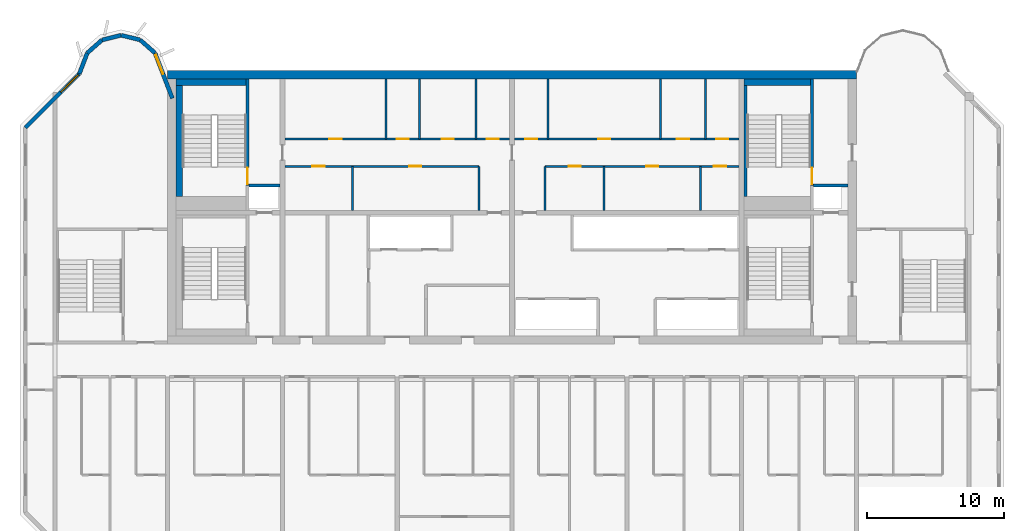
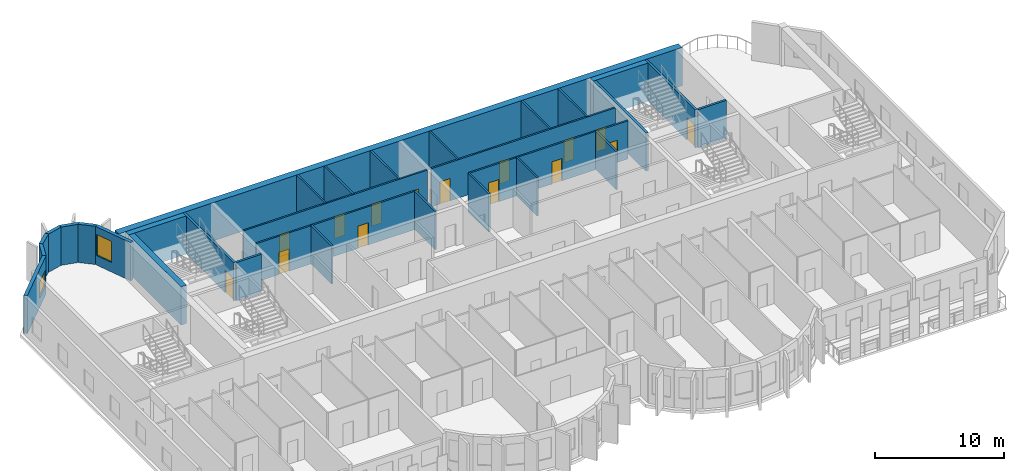
# One storey, part 7 of 12: 31 walls, 15 doors, 2 windows, 17 openings.
"""IFC4 building model written with IfcOpenShell, lengths in metres."""

from ifc_helpers import new_model, si_unit, direction, frame, frame_2d, origin, place, context, subcontext, project, spatial, rectangle, extrude, source, transform, mapped, material, layer, layer_set, type_object, element, fill, save


model = new_model("IFC4")

# Units and contexts
model_context = context("Model", 3, precision=1e-05, world=origin(), true_north=direction((0.0, 1.0)))
body_context = subcontext(model_context, "Body", "Model", "MODEL_VIEW")
ifc_project = project(units=[si_unit("LENGTHUNIT", "METRE"), si_unit("AREAUNIT", "SQUARE_METRE"), si_unit("VOLUMEUNIT", "CUBIC_METRE"), si_unit("PLANEANGLEUNIT", "RADIAN"), si_unit("MASSUNIT", "GRAM", prefix="KILO")], contexts=[model_context])

# Site, building, storey
site_placement = place(None, origin())
site = spatial("IfcSite", under=ifc_project, at=site_placement, CompositionType="ELEMENT")
building_placement = place(site_placement, origin())
building = spatial("IfcBuilding", under=site, at=building_placement, Name="Vanashikhar Sky Hotel", CompositionType="ELEMENT")
storey_placement = place(building_placement, frame((0.0, 0.0, 221.800048828125)))
storey = spatial("IfcBuildingStorey", under=building, at=storey_placement, Name="L53", CompositionType="ELEMENT", Elevation=221.800048828125)

# Wall
ifc_material_1 = material(Name="Concrete M60", Category="concrete")
ifc_layer_1 = layer(ifc_material_1, 0.60009765625)
ifc_layer_set_1 = layer_set([ifc_layer_1], Name="RC core shell wall 600 Concrete M60")
wall_type_1 = type_object("IfcWallType", Name="RC core shell wall 600 Concrete M60", PredefinedType="SHEAR", material=ifc_layer_set_1)
shared_shape_1 = source(origin(), body_context, "Body", "SweptSolid", [
    extrude(rectangle(XDim=50.400146484375, YDim=0.60009765625, at=frame_2d((25.2001953125, 0.0))), origin(), (0.0, 0.0, 1.0), 3.619873046875),
])
wall_1_placement = place(storey_placement, frame((25.199951171875, 41.699951171875, 0.0), z_axis=(0.0, 0.0, 1.0), x_axis=(1.0, 0.0, 0.0)))
element("IfcWall", 1, at=wall_1_placement, inside=storey, type_object=wall_type_1, Name="KW-L53-KN", PredefinedType="SHEAR", context=body_context, shape_type="MappedRepresentation", body=[
    mapped(shared_shape_1, transform((0.0, 0.0, 0.0), scale=1.0)),
])

# Wall, opening, window
ifc_material_2 = material(Name="Concrete M50", Category="concrete")
ifc_layer_2 = layer(ifc_material_2, 0.300048828125)
ifc_layer_set_2 = layer_set([ifc_layer_2], Name="Lobe wall 300")
wall_type_2 = type_object("IfcWallType", Name="Lobe wall 300", PredefinedType="SOLIDWALL", material=ifc_layer_set_2)
shared_shape_2 = source(origin(), body_context, "Body", "SweptSolid", [
    extrude(rectangle(XDim=5.576416015625, YDim=0.300048828125, at=frame_2d((2.7880859375, 0.0))), origin(), (0.0, 0.0, 1.0), 3.619873046875),
])
wall_2_placement = place(storey_placement, frame((18.7431640625, 41.77734375, 0.0), z_axis=(0.0, 0.0, 1.0), x_axis=(-0.707106781187, -0.707106781187, 0.0)))
wall_2 = element("IfcWall", 2, at=wall_2_placement, inside=storey, type_object=wall_type_2, Name="Corner wall", PredefinedType="SOLIDWALL", context=body_context, shape_type="MappedRepresentation", body=[
    mapped(shared_shape_2, transform((0.0, 0.0, 0.0), scale=1.0)),
])
shared_shape_3 = source(origin(), body_context, "Body", "SweptSolid", [
    extrude(rectangle(XDim=1.800048828125, YDim=1.5, at=frame_2d((0.89990234375, 0.75))), frame((0.0, 0.16015625, 0.0), z_axis=(0.0, -1.0, 0.0), x_axis=(1.0, 0.0, 0.0)), (0.0, 0.0, 1.0), 0.320068359375),
])
opening_1_placement = place(wall_2_placement, frame((0.117919921875, 0.0, 0.89990234375)))
opening_1 = element("IfcOpeningElement", 3, at=opening_1_placement, cuts=wall_2, Name="Opening WN-4", PredefinedType="OPENING", context=body_context, shape_type="MappedRepresentation", body=[
    mapped(shared_shape_3, transform((0.0, 0.0, 0.0), scale=1.0)),
])
ifc_material_3 = material(Name="Glass", Category="glass")
window_type_1 = type_object("IfcWindowType", Name="Corner window 1800 x 1500", PartitioningType="SINGLE_PANEL", PredefinedType="WINDOW", material=ifc_material_3)
shared_shape_4 = source(origin(), body_context, "Body", "SweptSolid", [
    extrude(rectangle(XDim=1.800048828125, YDim=1.5, at=frame_2d((0.89990234375, 0.75))), frame((0.0, 0.030029296875, 0.0), z_axis=(0.0, -1.0, 0.0), x_axis=(1.0, 0.0, 0.0)), (0.0, 0.0, 1.0), 0.06005859375),
])
window_1_placement = place(opening_1_placement, origin())
window_1 = element("IfcWindow", 4, at=window_1_placement, inside=storey, type_object=window_type_1, Name="Window WN-4", OverallHeight=1.5, OverallWidth=1.800048828125, PartitioningType="SINGLE_PANEL", PredefinedType="WINDOW", context=body_context, shape_type="MappedRepresentation", body=[
    mapped(shared_shape_4, transform((0.0, 0.0, 0.0), scale=1.0)),
])
fill(opening_1, window_1)

shared_shape_5 = source(origin(), body_context, "Body", "SweptSolid", [
    extrude(rectangle(XDim=3.55908203125, YDim=0.300048828125, at=frame_2d((1.779541015625, 0.0))), origin(), (0.0, 0.0, 1.0), 3.619873046875),
])
wall_3_placement = place(storey_placement, frame((25.550048828125, 39.968505859375, 0.0), z_axis=(0.0, 0.0, 1.0), x_axis=(-0.35779745313, 0.933799219604, 0.0)))
wall_3 = element("IfcWall", 5, at=wall_3_placement, inside=storey, type_object=wall_type_2, Name="Lobe wall", PredefinedType="SOLIDWALL", context=body_context, shape_type="MappedRepresentation", body=[
    mapped(shared_shape_5, transform((0.0, 0.0, 0.0), scale=1.0)),
])
shared_shape_6 = source(origin(), body_context, "Body", "SweptSolid", [
    extrude(rectangle(XDim=1.5, YDim=2.0, at=frame_2d((0.75, 1.0))), frame((0.0, 0.16015625, 0.0), z_axis=(0.0, -1.0, 0.0), x_axis=(1.0, 0.0, 0.0)), (0.0, 0.0, 1.0), 0.320068359375),
])
opening_2_placement = place(wall_3_placement, frame((1.9033203125, 0.0, 0.89990234375)))
opening_2 = element("IfcOpeningElement", 6, at=opening_2_placement, cuts=wall_3, Name="Opening WN-2", PredefinedType="OPENING", context=body_context, shape_type="MappedRepresentation", body=[
    mapped(shared_shape_6, transform((0.0, 0.0, 0.0), scale=1.0)),
])
window_type_2 = type_object("IfcWindowType", Name="Lobe window 1500 x 2000", PartitioningType="SINGLE_PANEL", PredefinedType="WINDOW", material=ifc_material_3)
shared_shape_7 = source(origin(), body_context, "Body", "SweptSolid", [
    extrude(rectangle(XDim=1.5, YDim=2.0, at=frame_2d((0.75, 1.0))), frame((0.0, 0.030029296875, 0.0), z_axis=(0.0, -1.0, 0.0), x_axis=(1.0, 0.0, 0.0)), (0.0, 0.0, 1.0), 0.06005859375),
])
window_2_placement = place(opening_2_placement, origin())
window_2 = element("IfcWindow", 7, at=window_2_placement, inside=storey, type_object=window_type_2, Name="Window WN-2", OverallHeight=2.0, OverallWidth=1.5, PartitioningType="SINGLE_PANEL", PredefinedType="WINDOW", context=body_context, shape_type="MappedRepresentation", body=[
    mapped(shared_shape_7, transform((0.0, 0.0, 0.0), scale=1.0)),
])
fill(opening_2, window_2)

# Walls
shared_shape_8 = source(origin(), body_context, "Body", "SweptSolid", [
    extrude(rectangle(XDim=1.440185546875, YDim=0.300048828125, at=frame_2d((0.72021484375, 0.0))), origin(), (0.0, 0.0, 1.0), 3.619873046875),
])
wall_4_placement = place(storey_placement, frame((24.276611328125, 43.2919921875, 0.0), z_axis=(0.0, 0.0, 1.0), x_axis=(-0.749649827867, 0.661834673902, 0.0)))
element("IfcWall", 8, at=wall_4_placement, inside=storey, type_object=wall_type_2, Name="Lobe wall", PredefinedType="SOLIDWALL", context=body_context, shape_type="MappedRepresentation", body=[
    mapped(shared_shape_8, transform((0.0, 0.0, 0.0), scale=1.0)),
])
shared_shape_9 = source(origin(), body_context, "Body", "SweptSolid", [
    extrude(rectangle(XDim=1.4384765625, YDim=0.300048828125, at=frame_2d((0.71923828125, 0.0))), origin(), (0.0, 0.0, 1.0), 3.619873046875),
])
wall_5_placement = place(storey_placement, frame((23.197021484375, 44.2451171875, 0.0), z_axis=(0.0, 0.0, 1.0), x_axis=(-0.971152283879, 0.238460146601, 0.0)))
element("IfcWall", 9, at=wall_5_placement, inside=storey, type_object=wall_type_2, Name="Lobe wall", PredefinedType="SOLIDWALL", context=body_context, shape_type="MappedRepresentation", body=[
    mapped(shared_shape_9, transform((0.0, 0.0, 0.0), scale=1.0)),
])
shared_shape_10 = source(origin(), body_context, "Body", "SweptSolid", [
    extrude(rectangle(XDim=1.438720703125, YDim=0.300048828125, at=frame_2d((0.71923828125, 0.0))), origin(), (0.0, 0.0, 1.0), 3.619873046875),
])
wall_6_placement = place(storey_placement, frame((21.800048828125, 44.588134765625, 0.0), z_axis=(0.0, 0.0, 1.0), x_axis=(-0.971161932466, -0.238420848351, 0.0)))
element("IfcWall", 10, at=wall_6_placement, inside=storey, type_object=wall_type_2, Name="Lobe wall", PredefinedType="SOLIDWALL", context=body_context, shape_type="MappedRepresentation", body=[
    mapped(shared_shape_10, transform((0.0, 0.0, 0.0), scale=1.0)),
])
shared_shape_11 = source(origin(), body_context, "Body", "SweptSolid", [
    extrude(rectangle(XDim=1.43994140625, YDim=0.300048828125, at=frame_2d((0.719970703125, 0.0))), origin(), (0.0, 0.0, 1.0), 3.619873046875),
])
wall_7_placement = place(storey_placement, frame((20.40283203125, 44.2451171875, 0.0), z_axis=(0.0, 0.0, 1.0), x_axis=(-0.74957555648, -0.661918790432, 0.0)))
element("IfcWall", 11, at=wall_7_placement, inside=storey, type_object=wall_type_2, Name="Lobe wall", PredefinedType="SOLIDWALL", context=body_context, shape_type="MappedRepresentation", body=[
    mapped(shared_shape_11, transform((0.0, 0.0, 0.0), scale=1.0)),
])
shared_shape_12 = source(origin(), body_context, "Body", "SweptSolid", [
    extrude(rectangle(XDim=1.6220703125, YDim=0.300048828125, at=frame_2d((0.81103515625, 0.0))), origin(), (0.0, 0.0, 1.0), 3.619873046875),
])
wall_8_placement = place(storey_placement, frame((19.323486328125, 43.2919921875, 0.0), z_axis=(0.0, 0.0, 1.0), x_axis=(-0.357778527068, -0.933806471154, 0.0)))
element("IfcWall", 12, at=wall_8_placement, inside=storey, type_object=wall_type_2, Name="Lobe wall", PredefinedType="SOLIDWALL", context=body_context, shape_type="MappedRepresentation", body=[
    mapped(shared_shape_12, transform((0.0, 0.0, 0.0), scale=1.0)),
])
ifc_material_4 = material(Name="Gypsum board partition")
ifc_layer_3 = layer(ifc_material_4, 0.14990234375)
ifc_layer_set_3 = layer_set([ifc_layer_3], Name="Service partition 150")
wall_type_3 = type_object("IfcWallType", Name="Service partition 150", PredefinedType="PARTITIONING", material=ifc_layer_set_3)
shared_shape_13 = source(origin(), body_context, "Body", "SweptSolid", [
    extrude(rectangle(XDim=3.22509765625, YDim=0.14990234375, at=frame_2d((1.612548828125, 0.0))), origin(), (0.0, 0.0, 1.0), 3.619873046875),
])
for number, where, z_axis, x_axis, name in (
    (13, (48.0, 31.77490234375, 0.0), (0.0, 0.0, 1.0), (0.0, 1.0, 0.0), "Service partition 150"),
    (14, (38.72705078125, 31.77490234375, 0.0), (0.0, 0.0, 1.0), (0.0, 1.0, 0.0), "Service partition 150"),
    (15, (52.800048828125, 31.77490234375, 0.0), (0.0, 0.0, 1.0), (0.0, 1.0, 0.0), "Service partition 150"),
    (16, (64.195068359375, 31.77490234375, 0.0), (0.0, 0.0, 1.0), (0.0, 1.0, 0.0), "Service partition 150"),
    (17, (57.1201171875, 31.77490234375, 0.0), (0.0, 0.0, 1.0), (0.0, 1.0, 0.0), "Service partition 150"),
):
    element("IfcWall", number, at=place(storey_placement, frame(where, z_axis=z_axis, x_axis=x_axis)), inside=storey, type_object=wall_type_3, Name=name, PredefinedType="PARTITIONING", context=body_context, shape_type="MappedRepresentation", body=[
        mapped(shared_shape_13, transform((0.0, 0.0, 0.0), scale=1.0)),
    ])

# Wall, openings, doors
shared_shape_14 = source(origin(), body_context, "Body", "SweptSolid", [
    extrude(rectangle(XDim=14.22509765625, YDim=0.14990234375, at=frame_2d((7.112548828125, 0.0))), origin(), (0.0, 0.0, 1.0), 3.619873046875),
])
wall_9_placement = place(storey_placement, frame((33.77490234375, 35.0, 0.0), z_axis=(0.0, 0.0, 1.0), x_axis=(1.0, 0.0, 0.0)))
wall_9 = element("IfcWall", 18, at=wall_9_placement, inside=storey, type_object=wall_type_3, Name="Service partition 150", PredefinedType="PARTITIONING", context=body_context, shape_type="MappedRepresentation", body=[
    mapped(shared_shape_14, transform((0.0, 0.0, 0.0), scale=1.0)),
])
shared_shape_15 = source(origin(), body_context, "Body", "SweptSolid", [
    extrude(rectangle(XDim=0.89990234375, YDim=2.10009765625, at=frame_2d((0.449951171875, 1.050048828125))), frame((0.0, 0.0849609375, 0.0), z_axis=(0.0, -1.0, 0.0), x_axis=(1.0, 0.0, 0.0)), (0.0, 0.0, 1.0), 0.169921875),
])
opening_3_placement = place(wall_9_placement, frame((2.02587890625, 0.0, 0.0)))
opening_3 = element("IfcOpeningElement", 19, at=opening_3_placement, cuts=wall_9, Name="Opening DC-4-A", PredefinedType="OPENING", context=body_context, shape_type="MappedRepresentation", body=[
    mapped(shared_shape_15, transform((0.0, 0.0, 0.0), scale=1.0)),
])
opening_4_placement = place(wall_9_placement, frame((9.10107421875, 0.0, 0.0)))
opening_4 = element("IfcOpeningElement", 20, at=opening_4_placement, cuts=wall_9, Name="Opening DC-4-A", PredefinedType="OPENING", context=body_context, shape_type="MappedRepresentation", body=[
    mapped(shared_shape_15, transform((0.0, 0.0, 0.0), scale=1.0)),
])
ifc_material_5 = material(Name="Steel", Category="steel")
door_type_1 = type_object("IfcDoorType", Name="Service door 900 FD60", OperationType="NOTDEFINED", PredefinedType="DOOR", material=ifc_material_5)
shared_shape_16 = source(origin(), body_context, "Body", "SweptSolid", [
    extrude(rectangle(XDim=0.89990234375, YDim=2.10009765625, at=frame_2d((0.449951171875, 1.050048828125))), frame((0.0, 0.02490234375, 0.0), z_axis=(0.0, -1.0, 0.0), x_axis=(1.0, 0.0, 0.0)), (0.0, 0.0, 1.0), 0.050048828125),
])
door_1_placement = place(opening_3_placement, origin())
door_1 = element("IfcDoor", 21, at=door_1_placement, inside=storey, type_object=door_type_1, Name="Service door 900 FD60", OperationType="SINGLE_SWING_LEFT", OverallHeight=2.10009765625, OverallWidth=0.89990234375, PredefinedType="DOOR", context=body_context, shape_type="MappedRepresentation", body=[
    mapped(shared_shape_16, transform((0.0, 0.0, 0.0), scale=1.0)),
])
fill(opening_3, door_1)
door_2_placement = place(opening_4_placement, origin())
door_2 = element("IfcDoor", 22, at=door_2_placement, inside=storey, type_object=door_type_1, Name="Service door 900 FD60", OperationType="SINGLE_SWING_RIGHT", OverallHeight=2.10009765625, OverallWidth=0.89990234375, PredefinedType="DOOR", context=body_context, shape_type="MappedRepresentation", body=[
    mapped(shared_shape_16, transform((0.0, 0.0, 0.0), scale=1.0)),
])
fill(opening_4, door_2)

shared_shape_17 = source(origin(), body_context, "Body", "SweptSolid", [
    extrude(rectangle(XDim=16.4501953125, YDim=0.14990234375, at=frame_2d((8.22509765625, 0.0))), origin(), (0.0, 0.0, 1.0), 3.619873046875),
])
wall_10_placement = place(storey_placement, frame((33.77490234375, 37.0, 0.0), z_axis=(0.0, 0.0, 1.0), x_axis=(1.0, 0.0, 0.0)))
wall_10 = element("IfcWall", 23, at=wall_10_placement, inside=storey, type_object=wall_type_3, Name="Service partition 150", PredefinedType="PARTITIONING", context=body_context, shape_type="MappedRepresentation", body=[
    mapped(shared_shape_17, transform((0.0, 0.0, 0.0), scale=1.0)),
])
opening_5_placement = place(wall_10_placement, frame((3.2509765625, 0.0, 0.0)))
opening_5 = element("IfcOpeningElement", 24, at=opening_5_placement, cuts=wall_10, Name="Opening DC-4-A", PredefinedType="OPENING", context=body_context, shape_type="MappedRepresentation", body=[
    mapped(shared_shape_15, transform((0.0, 0.0, 0.0), scale=1.0)),
])
opening_6_placement = place(wall_10_placement, frame((8.18603515625, 0.0, 0.0)))
opening_6 = element("IfcOpeningElement", 25, at=opening_6_placement, cuts=wall_10, Name="Opening DC-4-A", PredefinedType="OPENING", context=body_context, shape_type="MappedRepresentation", body=[
    mapped(shared_shape_15, transform((0.0, 0.0, 0.0), scale=1.0)),
])
opening_7_placement = place(wall_10_placement, frame((11.47607421875, 0.0, 0.0)))
opening_7 = element("IfcOpeningElement", 26, at=opening_7_placement, cuts=wall_10, Name="Opening DC-4-A", PredefinedType="OPENING", context=body_context, shape_type="MappedRepresentation", body=[
    mapped(shared_shape_15, transform((0.0, 0.0, 0.0), scale=1.0)),
])
opening_8_placement = place(wall_10_placement, frame((14.76611328125, 0.0, 0.0)))
opening_8 = element("IfcOpeningElement", 27, at=opening_8_placement, cuts=wall_10, Name="Opening DC-4-A", PredefinedType="OPENING", context=body_context, shape_type="MappedRepresentation", body=[
    mapped(shared_shape_15, transform((0.0, 0.0, 0.0), scale=1.0)),
])
door_3_placement = place(opening_5_placement, origin())
door_3 = element("IfcDoor", 28, at=door_3_placement, inside=storey, type_object=door_type_1, Name="Service door 900 FD60", OperationType="SINGLE_SWING_LEFT", OverallHeight=2.10009765625, OverallWidth=0.89990234375, PredefinedType="DOOR", context=body_context, shape_type="MappedRepresentation", body=[
    mapped(shared_shape_16, transform((0.0, 0.0, 0.0), scale=1.0)),
])
fill(opening_5, door_3)
door_4_placement = place(opening_6_placement, origin())
door_4 = element("IfcDoor", 29, at=door_4_placement, inside=storey, type_object=door_type_1, Name="Service door 900 FD60", OperationType="SINGLE_SWING_LEFT", OverallHeight=2.10009765625, OverallWidth=0.89990234375, PredefinedType="DOOR", context=body_context, shape_type="MappedRepresentation", body=[
    mapped(shared_shape_16, transform((0.0, 0.0, 0.0), scale=1.0)),
])
fill(opening_6, door_4)
door_5_placement = place(opening_7_placement, origin())
door_5 = element("IfcDoor", 30, at=door_5_placement, inside=storey, type_object=door_type_1, Name="Service door 900 FD60", OperationType="SINGLE_SWING_LEFT", OverallHeight=2.10009765625, OverallWidth=0.89990234375, PredefinedType="DOOR", context=body_context, shape_type="MappedRepresentation", body=[
    mapped(shared_shape_16, transform((0.0, 0.0, 0.0), scale=1.0)),
])
fill(opening_7, door_5)
door_6_placement = place(opening_8_placement, origin())
door_6 = element("IfcDoor", 31, at=door_6_placement, inside=storey, type_object=door_type_1, Name="Service door 900 FD60", OperationType="SINGLE_SWING_LEFT", OverallHeight=2.10009765625, OverallWidth=0.89990234375, PredefinedType="DOOR", context=body_context, shape_type="MappedRepresentation", body=[
    mapped(shared_shape_16, transform((0.0, 0.0, 0.0), scale=1.0)),
])
fill(opening_8, door_6)

# Walls
shared_shape_18 = source(origin(), body_context, "Body", "SweptSolid", [
    extrude(rectangle(XDim=4.39990234375, YDim=0.14990234375, at=frame_2d((2.199951171875, 0.0))), origin(), (0.0, 0.0, 1.0), 3.619873046875),
])
for number, where, z_axis, x_axis, name in (
    (32, (41.177978515625, 37.0, 0.0), (0.0, 0.0, 1.0), (0.0, 1.0, 0.0), "Service partition 150"),
    (33, (43.64501953125, 37.0, 0.0), (0.0, 0.0, 1.0), (0.0, 1.0, 0.0), "Service partition 150"),
    (34, (47.758056640625, 37.0, 0.0), (0.0, 0.0, 1.0), (0.0, 1.0, 0.0), "Service partition 150"),
    (35, (64.55810546875, 37.0, 0.0), (0.0, 0.0, 1.0), (0.0, 1.0, 0.0), "Service partition 150"),
    (36, (61.26708984375, 37.0, 0.0), (0.0, 0.0, 1.0), (0.0, 1.0, 0.0), "Service partition 150"),
    (37, (53.0419921875, 37.0, 0.0), (0.0, 0.0, 1.0), (0.0, 1.0, 0.0), "Service partition 150"),
):
    element("IfcWall", number, at=place(storey_placement, frame(where, z_axis=z_axis, x_axis=x_axis)), inside=storey, type_object=wall_type_3, Name=name, PredefinedType="PARTITIONING", context=body_context, shape_type="MappedRepresentation", body=[
        mapped(shared_shape_18, transform((0.0, 0.0, 0.0), scale=1.0)),
    ])

# Wall, openings, doors
shared_shape_19 = source(origin(), body_context, "Body", "SweptSolid", [
    extrude(rectangle(XDim=14.224853515625, YDim=0.14990234375, at=frame_2d((7.1123046875, 0.0))), origin(), (0.0, 0.0, 1.0), 3.619873046875),
])
wall_11_placement = place(storey_placement, frame((67.02490234375, 35.0, 0.0), z_axis=(0.0, 0.0, 1.0), x_axis=(-1.0, 0.0, 0.0)))
wall_11 = element("IfcWall", 38, at=wall_11_placement, inside=storey, type_object=wall_type_3, Name="Service partition 150", PredefinedType="PARTITIONING", context=body_context, shape_type="MappedRepresentation", body=[
    mapped(shared_shape_19, transform((0.0, 0.0, 0.0), scale=1.0)),
])
opening_9_placement = place(wall_11_placement, frame((0.965087890625, 0.0, 0.0)))
opening_9 = element("IfcOpeningElement", 39, at=opening_9_placement, cuts=wall_11, Name="Opening DC-4-A", PredefinedType="OPENING", context=body_context, shape_type="MappedRepresentation", body=[
    mapped(shared_shape_15, transform((0.0, 0.0, 0.0), scale=1.0)),
])
opening_10_placement = place(wall_11_placement, frame((5.91796875, 0.0, 0.0)))
opening_10 = element("IfcOpeningElement", 40, at=opening_10_placement, cuts=wall_11, Name="Opening DC-4-A", PredefinedType="OPENING", context=body_context, shape_type="MappedRepresentation", body=[
    mapped(shared_shape_15, transform((0.0, 0.0, 0.0), scale=1.0)),
])
opening_11_placement = place(wall_11_placement, frame((11.576904296875, 0.0, 0.0)))
opening_11 = element("IfcOpeningElement", 41, at=opening_11_placement, cuts=wall_11, Name="Opening DC-4-A", PredefinedType="OPENING", context=body_context, shape_type="MappedRepresentation", body=[
    mapped(shared_shape_15, transform((0.0, 0.0, 0.0), scale=1.0)),
])
door_7_placement = place(opening_9_placement, origin())
door_7 = element("IfcDoor", 42, at=door_7_placement, inside=storey, type_object=door_type_1, Name="Service door 900 FD60", OperationType="SINGLE_SWING_RIGHT", OverallHeight=2.10009765625, OverallWidth=0.89990234375, PredefinedType="DOOR", context=body_context, shape_type="MappedRepresentation", body=[
    mapped(shared_shape_16, transform((0.0, 0.0, 0.0), scale=1.0)),
])
fill(opening_9, door_7)
door_8_placement = place(opening_10_placement, origin())
door_8 = element("IfcDoor", 43, at=door_8_placement, inside=storey, type_object=door_type_1, Name="Service door 900 FD60", OperationType="SINGLE_SWING_RIGHT", OverallHeight=2.10009765625, OverallWidth=0.89990234375, PredefinedType="DOOR", context=body_context, shape_type="MappedRepresentation", body=[
    mapped(shared_shape_16, transform((0.0, 0.0, 0.0), scale=1.0)),
])
fill(opening_10, door_8)
door_9_placement = place(opening_11_placement, origin())
door_9 = element("IfcDoor", 44, at=door_9_placement, inside=storey, type_object=door_type_1, Name="Service door 900 FD60", OperationType="SINGLE_SWING_RIGHT", OverallHeight=2.10009765625, OverallWidth=0.89990234375, PredefinedType="DOOR", context=body_context, shape_type="MappedRepresentation", body=[
    mapped(shared_shape_16, transform((0.0, 0.0, 0.0), scale=1.0)),
])
fill(opening_11, door_9)

shared_shape_20 = source(origin(), body_context, "Body", "SweptSolid", [
    extrude(rectangle(XDim=16.449951171875, YDim=0.14990234375, at=frame_2d((8.22509765625, 0.0))), origin(), (0.0, 0.0, 1.0), 3.619873046875),
])
wall_12_placement = place(storey_placement, frame((67.02490234375, 37.0, 0.0), z_axis=(0.0, 0.0, 1.0), x_axis=(-1.0, 0.0, 0.0)))
wall_12 = element("IfcWall", 45, at=wall_12_placement, inside=storey, type_object=wall_type_3, Name="Service partition 150", PredefinedType="PARTITIONING", context=body_context, shape_type="MappedRepresentation", body=[
    mapped(shared_shape_20, transform((0.0, 0.0, 0.0), scale=1.0)),
])
opening_12_placement = place(wall_12_placement, frame((0.783935546875, 0.0, 0.0)))
opening_12 = element("IfcOpeningElement", 46, at=opening_12_placement, cuts=wall_12, Name="Opening DC-4-A", PredefinedType="OPENING", context=body_context, shape_type="MappedRepresentation", body=[
    mapped(shared_shape_15, transform((0.0, 0.0, 0.0), scale=1.0)),
])
opening_13_placement = place(wall_12_placement, frame((3.6630859375, 0.0, 0.0)))
opening_13 = element("IfcOpeningElement", 47, at=opening_13_placement, cuts=wall_12, Name="Opening DC-4-A", PredefinedType="OPENING", context=body_context, shape_type="MappedRepresentation", body=[
    mapped(shared_shape_15, transform((0.0, 0.0, 0.0), scale=1.0)),
])
opening_14_placement = place(wall_12_placement, frame((9.419921875, 0.0, 0.0)))
opening_14 = element("IfcOpeningElement", 48, at=opening_14_placement, cuts=wall_12, Name="Opening DC-4-A", PredefinedType="OPENING", context=body_context, shape_type="MappedRepresentation", body=[
    mapped(shared_shape_15, transform((0.0, 0.0, 0.0), scale=1.0)),
])
opening_15_placement = place(wall_12_placement, frame((14.76611328125, 0.0, 0.0)))
opening_15 = element("IfcOpeningElement", 49, at=opening_15_placement, cuts=wall_12, Name="Opening DC-4-A", PredefinedType="OPENING", context=body_context, shape_type="MappedRepresentation", body=[
    mapped(shared_shape_15, transform((0.0, 0.0, 0.0), scale=1.0)),
])
door_10_placement = place(opening_12_placement, origin())
door_10 = element("IfcDoor", 50, at=door_10_placement, inside=storey, type_object=door_type_1, Name="Service door 900 FD60", OperationType="SINGLE_SWING_LEFT", OverallHeight=2.10009765625, OverallWidth=0.89990234375, PredefinedType="DOOR", context=body_context, shape_type="MappedRepresentation", body=[
    mapped(shared_shape_16, transform((0.0, 0.0, 0.0), scale=1.0)),
])
fill(opening_12, door_10)
door_11_placement = place(opening_13_placement, origin())
door_11 = element("IfcDoor", 51, at=door_11_placement, inside=storey, type_object=door_type_1, Name="Service door 900 FD60", OperationType="SINGLE_SWING_LEFT", OverallHeight=2.10009765625, OverallWidth=0.89990234375, PredefinedType="DOOR", context=body_context, shape_type="MappedRepresentation", body=[
    mapped(shared_shape_16, transform((0.0, 0.0, 0.0), scale=1.0)),
])
fill(opening_13, door_11)
door_12_placement = place(opening_14_placement, origin())
door_12 = element("IfcDoor", 52, at=door_12_placement, inside=storey, type_object=door_type_1, Name="Service door 900 FD60", OperationType="SINGLE_SWING_LEFT", OverallHeight=2.10009765625, OverallWidth=0.89990234375, PredefinedType="DOOR", context=body_context, shape_type="MappedRepresentation", body=[
    mapped(shared_shape_16, transform((0.0, 0.0, 0.0), scale=1.0)),
])
fill(opening_14, door_12)
door_13_placement = place(opening_15_placement, origin())
door_13 = element("IfcDoor", 53, at=door_13_placement, inside=storey, type_object=door_type_1, Name="Service door 900 FD60", OperationType="SINGLE_SWING_RIGHT", OverallHeight=2.10009765625, OverallWidth=0.89990234375, PredefinedType="DOOR", context=body_context, shape_type="MappedRepresentation", body=[
    mapped(shared_shape_16, transform((0.0, 0.0, 0.0), scale=1.0)),
])
fill(opening_15, door_13)

# Wall
ifc_material_6 = material(Name="Concrete M40", Category="concrete")
ifc_layer_4 = layer(ifc_material_6, 0.199951171875)
ifc_layer_set_4 = layer_set([ifc_layer_4], Name="Shaft wall 200")
wall_type_4 = type_object("IfcWallType", Name="Shaft wall 200", PredefinedType="SOLIDWALL", material=ifc_layer_set_4)
shared_shape_21 = source(origin(), body_context, "Body", "SweptSolid", [
    extrude(rectangle(XDim=2.275146484375, YDim=0.199951171875, at=frame_2d((1.1376953125, 0.0))), origin(), (0.0, 0.0, 1.0), 3.619873046875),
])
wall_13_placement = place(storey_placement, frame((31.14990234375, 33.60009765625, 0.0), z_axis=(0.0, 0.0, 1.0), x_axis=(1.0, 0.0, 0.0)))
element("IfcWall", 54, at=wall_13_placement, inside=storey, type_object=wall_type_4, Name="Shaft wall 200", PredefinedType="SOLIDWALL", context=body_context, shape_type="MappedRepresentation", body=[
    mapped(shared_shape_21, transform((0.0, 0.0, 0.0), scale=1.0)),
])

# Wall, opening, door
ifc_layer_5 = layer(ifc_material_2, 0.199951171875)
ifc_layer_set_5 = layer_set([ifc_layer_5], Name="Stair wall 200")
wall_type_5 = type_object("IfcWallType", Name="Stair wall 200", PredefinedType="SOLIDWALL", material=ifc_layer_set_5)
shared_shape_22 = source(origin(), body_context, "Body", "SweptSolid", [
    extrude(rectangle(XDim=7.7998046875, YDim=0.199951171875, at=frame_2d((3.89990234375, 0.0))), origin(), (0.0, 0.0, 1.0), 3.619873046875),
])
wall_14_placement = place(storey_placement, frame((31.050048828125, 33.60009765625, 0.0), z_axis=(0.0, 0.0, 1.0), x_axis=(0.0, 1.0, 0.0)))
wall_14 = element("IfcWall", 55, at=wall_14_placement, inside=storey, type_object=wall_type_5, Name="Stair wall 200", PredefinedType="SOLIDWALL", context=body_context, shape_type="MappedRepresentation", body=[
    mapped(shared_shape_22, transform((0.0, 0.0, 0.0), scale=1.0)),
])
shared_shape_23 = source(origin(), body_context, "Body", "SweptSolid", [
    extrude(rectangle(XDim=1.199951171875, YDim=2.10009765625, at=frame_2d((0.60009765625, 1.050048828125))), frame((0.0, 0.10986328125, 0.0), z_axis=(0.0, -1.0, 0.0), x_axis=(1.0, 0.0, 0.0)), (0.0, 0.0, 1.0), 0.219970703125),
])
opening_16_placement = place(wall_14_placement, frame((0.10009765625, 0.0, 0.0)))
opening_16 = element("IfcOpeningElement", 56, at=opening_16_placement, cuts=wall_14, Name="Opening DC-1", PredefinedType="OPENING", context=body_context, shape_type="MappedRepresentation", body=[
    mapped(shared_shape_23, transform((0.0, 0.0, 0.0), scale=1.0)),
])
door_type_2 = type_object("IfcDoorType", Name="Stair door 1200 FD120", OperationType="NOTDEFINED", PredefinedType="DOOR", material=ifc_material_5)
shared_shape_24 = source(origin(), body_context, "Body", "SweptSolid", [
    extrude(rectangle(XDim=1.199951171875, YDim=2.10009765625, at=frame_2d((0.60009765625, 1.050048828125))), frame((0.0, 0.02490234375, 0.0), z_axis=(0.0, -1.0, 0.0), x_axis=(1.0, 0.0, 0.0)), (0.0, 0.0, 1.0), 0.050048828125),
])
door_14_placement = place(opening_16_placement, origin())
door_14 = element("IfcDoor", 57, at=door_14_placement, inside=storey, type_object=door_type_2, Name="Stair door 1200 FD120", OperationType="SINGLE_SWING_LEFT", OverallHeight=2.10009765625, OverallWidth=1.199951171875, PredefinedType="DOOR", context=body_context, shape_type="MappedRepresentation", body=[
    mapped(shared_shape_24, transform((0.0, 0.0, 0.0), scale=1.0)),
])
fill(opening_16, door_14)

wall_15_placement = place(storey_placement, frame((72.35009765625, 33.60009765625, 0.0), z_axis=(0.0, 0.0, 1.0), x_axis=(0.0, 1.0, 0.0)))
wall_15 = element("IfcWall", 58, at=wall_15_placement, inside=storey, type_object=wall_type_5, Name="Stair wall 200", PredefinedType="SOLIDWALL", context=body_context, shape_type="MappedRepresentation", body=[
    mapped(shared_shape_22, transform((0.0, 0.0, 0.0), scale=1.0)),
])
opening_17_placement = place(wall_15_placement, frame((0.10009765625, 0.0, 0.0)))
opening_17 = element("IfcOpeningElement", 59, at=opening_17_placement, cuts=wall_15, Name="Opening DC-1", PredefinedType="OPENING", context=body_context, shape_type="MappedRepresentation", body=[
    mapped(shared_shape_23, transform((0.0, 0.0, 0.0), scale=1.0)),
])
door_15_placement = place(opening_17_placement, origin())
door_15 = element("IfcDoor", 60, at=door_15_placement, inside=storey, type_object=door_type_2, Name="Stair door 1200 FD120", OperationType="SINGLE_SWING_RIGHT", OverallHeight=2.10009765625, OverallWidth=1.199951171875, PredefinedType="DOOR", context=body_context, shape_type="MappedRepresentation", body=[
    mapped(shared_shape_24, transform((0.0, 0.0, 0.0), scale=1.0)),
])
fill(opening_17, door_15)

# Walls
shared_shape_25 = source(origin(), body_context, "Body", "SweptSolid", [
    extrude(rectangle(XDim=2.550048828125, YDim=0.199951171875, at=frame_2d((1.27490234375, 0.0))), origin(), (0.0, 0.0, 1.0), 3.619873046875),
])
wall_16_placement = place(storey_placement, frame((72.449951171875, 33.60009765625, 0.0), z_axis=(0.0, 0.0, 1.0), x_axis=(1.0, 0.0, 0.0)))
element("IfcWall", 61, at=wall_16_placement, inside=storey, type_object=wall_type_4, Name="Shaft wall 200", PredefinedType="SOLIDWALL", context=body_context, shape_type="MappedRepresentation", body=[
    mapped(shared_shape_25, transform((0.0, 0.0, 0.0), scale=1.0)),
])
ifc_layer_6 = layer(ifc_material_2, 0.5)
ifc_layer_set_6 = layer_set([ifc_layer_6], Name="Stair infill wall 500")
wall_type_6 = type_object("IfcWallType", Name="Stair infill wall 500", PredefinedType="SOLIDWALL", material=ifc_layer_set_6)
shared_shape_26 = source(origin(), body_context, "Body", "SweptSolid", [
    extrude(rectangle(XDim=5.14990234375, YDim=0.5, at=frame_2d((2.574951171875, 0.0))), origin(), (0.0, 0.0, 1.0), 3.619873046875),
])
wall_17_placement = place(storey_placement, frame((25.800048828125, 41.14990234375, 0.0), z_axis=(0.0, 0.0, 1.0), x_axis=(1.0, 0.0, 0.0)))
element("IfcWall", 62, at=wall_17_placement, inside=storey, type_object=wall_type_6, Name="Stair infill wall 500", PredefinedType="SOLIDWALL", context=body_context, shape_type="MappedRepresentation", body=[
    mapped(shared_shape_26, transform((0.0, 0.0, 0.0), scale=1.0)),
])
shared_shape_27 = source(origin(), body_context, "Body", "SweptSolid", [
    extrude(rectangle(XDim=8.099853515625, YDim=0.5, at=frame_2d((4.0498046875, 0.0))), origin(), (0.0, 0.0, 1.0), 3.619873046875),
])
wall_18_placement = place(storey_placement, frame((26.050048828125, 32.800048828125, 0.0), z_axis=(0.0, 0.0, 1.0), x_axis=(0.0, 1.0, 0.0)))
element("IfcWall", 63, at=wall_18_placement, inside=storey, type_object=wall_type_6, Name="Stair infill wall 500", PredefinedType="SOLIDWALL", context=body_context, shape_type="MappedRepresentation", body=[
    mapped(shared_shape_27, transform((0.0, 0.0, 0.0), scale=1.0)),
])
shared_shape_28 = source(origin(), body_context, "Body", "SweptSolid", [
    extrude(rectangle(XDim=4.875, YDim=0.5, at=frame_2d((2.4375, 0.0))), origin(), (0.0, 0.0, 1.0), 3.619873046875),
])
wall_19_placement = place(storey_placement, frame((67.375, 41.14990234375, 0.0), z_axis=(0.0, 0.0, 1.0), x_axis=(1.0, 0.0, 0.0)))
element("IfcWall", 64, at=wall_19_placement, inside=storey, type_object=wall_type_6, Name="Stair infill wall 500", PredefinedType="SOLIDWALL", context=body_context, shape_type="MappedRepresentation", body=[
    mapped(shared_shape_28, transform((0.0, 0.0, 0.0), scale=1.0)),
])
ifc_layer_7 = layer(ifc_material_2, 0.22509765625)
ifc_layer_set_7 = layer_set([ifc_layer_7], Name="Stair infill wall 225")
wall_type_7 = type_object("IfcWallType", Name="Stair infill wall 225", PredefinedType="SOLIDWALL", material=ifc_layer_set_7)
shared_shape_29 = source(origin(), body_context, "Body", "SweptSolid", [
    extrude(rectangle(XDim=8.099853515625, YDim=0.22509765625, at=frame_2d((4.0498046875, 0.0))), origin(), (0.0, 0.0, 1.0), 3.619873046875),
])
wall_20_placement = place(storey_placement, frame((67.487060546875, 32.800048828125, 0.0), z_axis=(0.0, 0.0, 1.0), x_axis=(0.0, 1.0, 0.0)))
element("IfcWall", 65, at=wall_20_placement, inside=storey, type_object=wall_type_7, Name="Stair infill wall 225", PredefinedType="SOLIDWALL", context=body_context, shape_type="MappedRepresentation", body=[
    mapped(shared_shape_29, transform((0.0, 0.0, 0.0), scale=1.0)),
])

save(model, "model.ifc")
